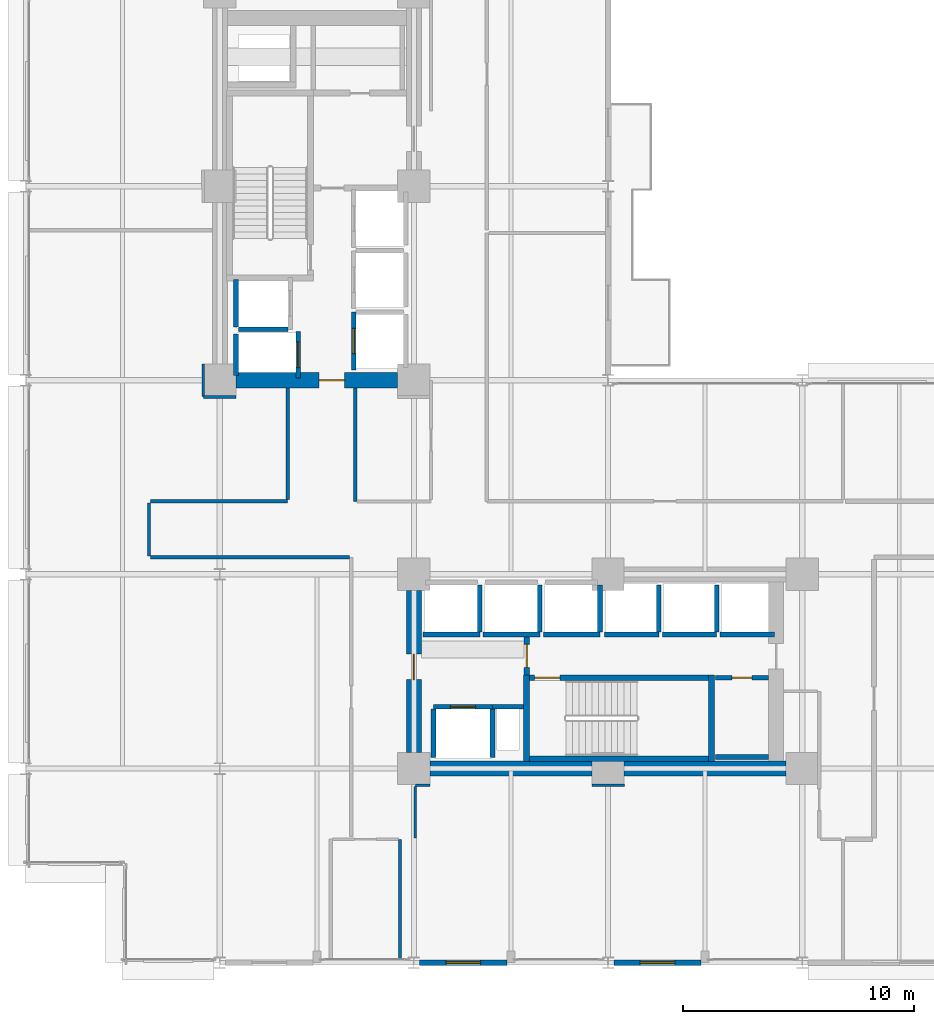
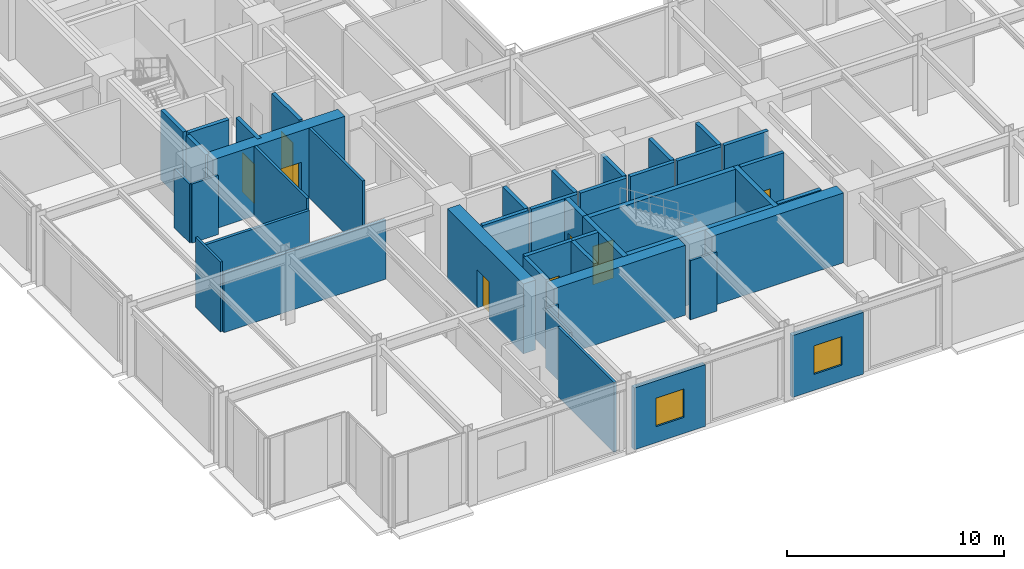
# One storey, part 20 of 25: 44 walls, 8 doors, 2 windows, 10 openings.
"""IFC4 building model written with IfcOpenShell, lengths in metres."""

import ifcopenshell
import ifcopenshell.guid

model = None  # the IFC model being written
_history = None  # IfcOwnerHistory: only IFC2X3 demands one
_inside = {}  # id of a spatial element -> (the spatial element, [elements in it])
_under = {}  # id of a project, library or spatial element -> (it, [spatial elements below it])
_declared = {}  # id of a project -> (the project, [libraries it declares])
_typed = {}  # id of a type object -> (the type object, [elements of that type])
_made_of = {}  # id of a material, layer set ... -> (it, [elements and type objects made of it])


def new_model(schema):
    """Start an empty IFC model of exactly this schema.

    Asked for "IFC4X3", IfcOpenShell would pick the latest addendum, in which some entities
    have other attributes; the version numbers below select the first issue.
    IFC2X3 requires an IfcOwnerHistory on every rooted entity: one is made here for all.
    """
    global model, _history
    if schema == "IFC4X3":
        model = ifcopenshell.file(schema_version=(4, 3, 0, 0))
    else:
        model = ifcopenshell.file(schema=schema)
    _inside.clear()
    _under.clear()
    _declared.clear()
    _typed.clear()
    _made_of.clear()
    _history = None
    if model.schema == "IFC2X3":
        org = make("IfcOrganization", Name="unknown")
        user = make(
            "IfcPersonAndOrganization",
            ThePerson=make("IfcPerson", FamilyName="unknown"),
            TheOrganization=org,
        )
        app = make(
            "IfcApplication",
            ApplicationDeveloper=org,
            Version="unknown",
            ApplicationFullName="unknown",
            ApplicationIdentifier="unknown",
        )
        _history = make(
            "IfcOwnerHistory",
            OwningUser=user,
            OwningApplication=app,
            ChangeAction="ADDED",
            CreationDate=0,
        )
    return model


def make(cls, **values):
    """One entity of the class cls with the attributes given. An attribute that is None is left unset."""
    return model.create_entity(
        cls, **{name: value for name, value in values.items() if value is not None}
    )


def rooted(cls, **values):
    """An entity with a GlobalId (a new one), such as an element, a storey or a relation."""
    return make(cls, GlobalId=ifcopenshell.guid.new(), OwnerHistory=_history, **values)


def si_unit(unit_type, name, prefix=None):
    """IfcSIUnit, for example si_unit("LENGTHUNIT", "METRE", prefix="MILLI")."""
    return make("IfcSIUnit", UnitType=unit_type, Prefix=prefix, Name=name)


def assignment(units):
    """IfcUnitAssignment: the units of a project."""
    return None if units is None else make("IfcUnitAssignment", Units=units)


def point(xyz):
    """IfcCartesianPoint."""
    return None if xyz is None else make("IfcCartesianPoint", Coordinates=xyz)


def direction(xyz):
    """IfcDirection."""
    return None if xyz is None else make("IfcDirection", DirectionRatios=xyz)


def frame(location, z_axis=None, x_axis=None):
    """IfcAxis2Placement3D, a coordinate frame: its origin and axes. An axis left out is left unset."""
    return make(
        "IfcAxis2Placement3D",
        Location=point(location),
        Axis=direction(z_axis),
        RefDirection=direction(x_axis),
    )


def frame_2d(location, x_axis=None):
    """IfcAxis2Placement2D, a coordinate frame in the plane: its origin and x axis."""
    return make(
        "IfcAxis2Placement2D", Location=point(location), RefDirection=direction(x_axis)
    )


def origin():
    """The frame at (0, 0, 0) with its axes left unset."""
    return frame((0.0, 0.0, 0.0))


def place(relative_to, where):
    """IfcLocalPlacement: puts the frame where relative to a parent placement (None: the world)."""
    return make(
        "IfcLocalPlacement", PlacementRelTo=relative_to, RelativePlacement=where
    )


def context(
    kind, dimensions, precision=None, world=None, true_north=None, identifier=None
):
    """IfcGeometricRepresentationContext, for example the 3D "Model" context."""
    return make(
        "IfcGeometricRepresentationContext",
        ContextIdentifier=identifier,
        ContextType=kind,
        CoordinateSpaceDimension=dimensions,
        Precision=precision,
        WorldCoordinateSystem=world,
        TrueNorth=true_north,
    )


def subcontext(parent, identifier, kind, view, scale=None):
    """IfcGeometricRepresentationSubContext, for example "Body" below "Model"."""
    return make(
        "IfcGeometricRepresentationSubContext",
        ContextIdentifier=identifier,
        ContextType=kind,
        ParentContext=parent,
        TargetScale=scale,
        TargetView=view,
    )


def project(units=None, contexts=None):
    """IfcProject with its units and contexts."""
    return rooted(
        "IfcProject",
        Name="project",
        RepresentationContexts=contexts,
        UnitsInContext=assignment(units),
    )


def spatial(cls, under=None, at=None, **own):
    """A site, building, storey or space (cls), placed at a placement, below another one or the project."""
    s = rooted(cls, ObjectPlacement=at, **own)
    if under is not None:
        _under.setdefault(under.id(), (under, []))[1].append(s)
    return s


def profile(cls, at=None, kind="AREA", **sizes):
    """A parametric profile (cls). Its sizes go by their IFC names, for example OverallWidth=200.0."""
    return make(cls, ProfileType=kind, Position=at, **sizes)


def rectangle(**sizes):
    """IfcRectangleProfileDef."""
    return profile("IfcRectangleProfileDef", **sizes)


def extrude(swept, where, along, depth):
    """IfcExtrudedAreaSolid: the profile swept, set in the frame where, extruded along a direction by depth."""
    return make(
        "IfcExtrudedAreaSolid",
        SweptArea=swept,
        Position=where,
        ExtrudedDirection=direction(along),
        Depth=depth,
    )


def shape(context_of_items, identifier, shape_type, items):
    """IfcShapeRepresentation: the items that make up one representation, for example the "Body"."""
    return make(
        "IfcShapeRepresentation",
        ContextOfItems=context_of_items,
        RepresentationIdentifier=identifier,
        RepresentationType=shape_type,
        Items=items,
    )


def material(Name=None, Category=None):
    """IfcMaterial."""
    return make("IfcMaterial", Name=Name, Category=Category)


def layer(
    of_material, thickness, ventilated=None, Name=None, Category=None, Priority=None
):
    """IfcMaterialLayer: one layer of a wall or slab, of a material (None: an air gap)."""
    return make(
        "IfcMaterialLayer",
        Material=of_material,
        LayerThickness=thickness,
        IsVentilated=ventilated,
        Name=Name,
        Category=Category,
        Priority=Priority,
    )


def layer_set(layers, Name=None):
    """IfcMaterialLayerSet."""
    return make("IfcMaterialLayerSet", MaterialLayers=layers, LayerSetName=Name)


def made_of(thing, what):
    """Note that an element or type object is made of a material, layer set ...; save() writes the relation."""
    if what is not None:
        _made_of.setdefault(what.id(), (what, []))[1].append(thing)
    return thing


def type_object(cls, material=None, **own):
    """A type object (cls), such as IfcWallType, which elements share."""
    return made_of(rooted(cls, **own), material)


def element(
    cls,
    number,
    at=None,
    inside=None,
    cuts=None,
    type_object=None,
    material=None,
    context=None,
    identifier="Body",
    shape_type=None,
    held_by="IfcProductDefinitionShape",
    body=None,
    shapes=None,
    **own,
):
    """One element of the class cls, such as IfcWall. Its Tag is "e" and its number.

    at: its placement. inside: the storey or other place that contains it. cuts: it is an
    opening in that element (IfcRelVoidsElement). A single representation is given by context,
    identifier, shape_type and body (its items); several are given by shapes. held_by: the class
    of the entity that holds the representations. save() writes the other relations.
    """
    e = rooted(cls, Tag="e%d" % number, ObjectPlacement=at, **own)
    if body is not None:
        shapes = [shape(context, identifier, shape_type, body)]
    if shapes is not None:
        e.Representation = make(held_by, Representations=shapes)
    if inside is not None:
        _inside.setdefault(inside.id(), (inside, []))[1].append(e)
    if cuts is not None:
        rooted(
            "IfcRelVoidsElement", RelatingBuildingElement=cuts, RelatedOpeningElement=e
        )
    if type_object is not None:
        _typed.setdefault(type_object.id(), (type_object, []))[1].append(e)
    return made_of(e, material)


def fill(opening, filler):
    """IfcRelFillsElement: the door or window that sits in an opening."""
    return rooted(
        "IfcRelFillsElement",
        RelatingOpeningElement=opening,
        RelatedBuildingElement=filler,
    )


def aggregate(whole, parts):
    """IfcRelAggregates: a whole, such as a stair, and the parts it consists of."""
    return rooted("IfcRelAggregates", RelatingObject=whole, RelatedObjects=parts)


def save(model, path):
    """Write the relations noted so far, then the file.

    IfcRelAggregates (storeys below a building ...), IfcRelContainedInSpatialStructure (elements
    in a storey), IfcRelDefinesByType, IfcRelAssociatesMaterial and IfcRelDeclares: one each for
    every whole, place, type object, material and project.
    """
    for whole, parts in _under.values():
        aggregate(whole, parts)
    for where, things in _inside.values():
        rooted(
            "IfcRelContainedInSpatialStructure",
            RelatedElements=things,
            RelatingStructure=where,
        )
    for kind, things in _typed.values():
        rooted("IfcRelDefinesByType", RelatedObjects=things, RelatingType=kind)
    for what, things in _made_of.values():
        rooted("IfcRelAssociatesMaterial", RelatedObjects=things, RelatingMaterial=what)
    for by, libraries in _declared.values():
        rooted("IfcRelDeclares", RelatingContext=by, RelatedDefinitions=libraries)
    model.write(path)


model = new_model("IFC4")

# Units and contexts
model_context = context("Model", 3, precision=1e-05, world=origin(), true_north=direction((0.0, 1.0)))
body_context = subcontext(model_context, "Body", "Model", "MODEL_VIEW")
ifc_project = project(units=[si_unit("LENGTHUNIT", "METRE"), si_unit("AREAUNIT", "SQUARE_METRE"), si_unit("VOLUMEUNIT", "CUBIC_METRE"), si_unit("PLANEANGLEUNIT", "RADIAN"), si_unit("MASSUNIT", "GRAM", prefix="KILO")], contexts=[model_context])

# Site, building, storey
site_placement = place(None, origin())
site = spatial("IfcSite", under=ifc_project, at=site_placement, CompositionType="ELEMENT")
building_placement = place(site_placement, origin())
building = spatial("IfcBuilding", under=site, at=building_placement, Name="Nerrivon Quay Data Exchange", CompositionType="ELEMENT")
storey_placement = place(building_placement, frame((0.0, 0.0, 29.0)))
storey = spatial("IfcBuildingStorey", under=building, at=storey_placement, Name="L06", CompositionType="ELEMENT", Elevation=29.0)

# Wall, opening, window
ifc_material_1 = material(Name="Architectural terracotta precast concrete N50 (50 MPa)", Category="masonry")
ifc_layer_1 = layer(ifc_material_1, 0.239990234375)
ifc_layer_set_1 = layer_set([ifc_layer_1], Name="Architectural terracotta precast concrete N50 (50 MPa)")
wall_type_1 = type_object("IfcWallType", Name="EW-PREC-240", PredefinedType="STANDARD", material=ifc_layer_set_1)
wall_1_placement = place(storey_placement, frame((29.22509765625, 0.0, 0.0), z_axis=(0.0, 0.0, 1.0), x_axis=(-1.0, 0.0, 0.0)))
wall_1 = element("IfcWall", 1, at=wall_1_placement, inside=storey, type_object=wall_type_1, Name="L06 Podium Precast Spandrel Wall 5", PredefinedType="STANDARD", context=body_context, shape_type="SweptSolid", body=[
    extrude(rectangle(XDim=3.775146484375, YDim=0.239990234375, at=frame_2d((1.8876953125, 0.0))), origin(), (0.0, 0.0, 1.0), 3.470947265625),
])
opening_1_placement = place(wall_1_placement, frame((1.137451171875, 0.0, 0.89990234375)))
opening_1 = element("IfcOpeningElement", 2, at=opening_1_placement, cuts=wall_1, Name="Opening WN4", PredefinedType="OPENING", context=body_context, shape_type="SweptSolid", body=[
    extrude(rectangle(XDim=1.5, YDim=1.60009765625, at=frame_2d((0.75, 0.800048828125))), frame((0.0, 0.1298828125, 0.0), z_axis=(0.0, -1.0, 0.0), x_axis=(1.0, 0.0, 0.0)), (0.0, 0.0, 1.0), 0.260009765625),
])
ifc_material_2 = material(Name="Double-glazed low-E solar control glass", Category="glass")
window_type = type_object("IfcWindowType", Name="WIN-W4-1500x1600", PartitioningType="SINGLE_PANEL", PredefinedType="WINDOW", material=ifc_material_2)
window_1_placement = place(opening_1_placement, origin())
window_1 = element("IfcWindow", 3, at=window_1_placement, inside=storey, type_object=window_type, Name="L06 Solar Facade Window 5", OverallHeight=1.60009765625, OverallWidth=1.5, PartitioningType="SINGLE_PANEL", PredefinedType="WINDOW", context=body_context, shape_type="SweptSolid", body=[
    extrude(rectangle(XDim=1.5, YDim=1.60009765625, at=frame_2d((0.75, 0.800048828125))), frame((0.0, 0.030029296875, 0.0), z_axis=(0.0, -1.0, 0.0), x_axis=(1.0, 0.0, 0.0)), (0.0, 0.0, 1.0), 0.06005859375),
])
fill(opening_1, window_1)

wall_2_placement = place(storey_placement, frame((20.824951171875, 0.0, 0.0), z_axis=(0.0, 0.0, 1.0), x_axis=(-1.0, 0.0, 0.0)))
wall_2 = element("IfcWall", 4, at=wall_2_placement, inside=storey, type_object=wall_type_1, Name="L06 Podium Precast Spandrel Wall 7", PredefinedType="STANDARD", context=body_context, shape_type="SweptSolid", body=[
    extrude(rectangle(XDim=3.77490234375, YDim=0.239990234375, at=frame_2d((1.887451171875, 0.0))), origin(), (0.0, 0.0, 1.0), 3.470947265625),
])
opening_2_placement = place(wall_2_placement, frame((1.137451171875, 0.0, 0.89990234375)))
opening_2 = element("IfcOpeningElement", 5, at=opening_2_placement, cuts=wall_2, Name="Opening WN4", PredefinedType="OPENING", context=body_context, shape_type="SweptSolid", body=[
    extrude(rectangle(XDim=1.5, YDim=1.60009765625, at=frame_2d((0.75, 0.800048828125))), frame((0.0, 0.1298828125, 0.0), z_axis=(0.0, -1.0, 0.0), x_axis=(1.0, 0.0, 0.0)), (0.0, 0.0, 1.0), 0.260009765625),
])
window_2_placement = place(opening_2_placement, origin())
window_2 = element("IfcWindow", 6, at=window_2_placement, inside=storey, type_object=window_type, Name="L06 Solar Facade Window 7", OverallHeight=1.60009765625, OverallWidth=1.5, PartitioningType="SINGLE_PANEL", PredefinedType="WINDOW", context=body_context, shape_type="SweptSolid", body=[
    extrude(rectangle(XDim=1.5, YDim=1.60009765625, at=frame_2d((0.75, 0.800048828125))), frame((0.0, 0.030029296875, 0.0), z_axis=(0.0, -1.0, 0.0), x_axis=(1.0, 0.0, 0.0)), (0.0, 0.0, 1.0), 0.06005859375),
])
fill(opening_2, window_2)

# Wall, opening, door
ifc_material_3 = material(Name="Concrete N80 (80 MPa)", Category="concrete")
ifc_layer_2 = layer(ifc_material_3, 0.64990234375)
ifc_layer_set_2 = layer_set([ifc_layer_2], Name="Concrete N80 (80 MPa)")
wall_type_2 = type_object("IfcWallType", Name="WALL-CW-850", PredefinedType="SHEAR", material=ifc_layer_set_2)
wall_3_placement = place(storey_placement, frame((9.10009765625, 25.199951171875, 0.0), z_axis=(0.0, 0.0, 1.0), x_axis=(1.0, 0.0, 0.0)))
wall_3 = element("IfcWall", 7, at=wall_3_placement, inside=storey, type_object=wall_type_2, Name="L06 West Split-Core Shear Wall WCW-S1", PredefinedType="SHEAR", context=body_context, shape_type="SweptSolid", body=[
    extrude(rectangle(XDim=7.0, YDim=0.64990234375, at=frame_2d((3.5, 0.0))), origin(), (0.0, 0.0, 1.0), 3.925048828125),
])
opening_3_placement = place(wall_3_placement, frame((3.60009765625, 0.0, 0.0)))
opening_3 = element("IfcOpeningElement", 8, at=opening_3_placement, cuts=wall_3, Name="Opening FD-120", PredefinedType="OPENING", context=body_context, shape_type="SweptSolid", body=[
    extrude(rectangle(XDim=1.10009765625, YDim=2.14990234375, at=frame_2d((0.550048828125, 1.074951171875))), frame((0.0, 0.3349609375, 0.0), z_axis=(0.0, -1.0, 0.0), x_axis=(1.0, 0.0, 0.0)), (0.0, 0.0, 1.0), 0.669921875),
])
ifc_material_4 = material(Name="Powder-coated galvanized steel sheet", Category="steel")
door_type_1 = type_object("IfcDoorType", Name="DR-FD120-1100", OperationType="NOTDEFINED", PredefinedType="DOOR", material=ifc_material_4)
door_1_placement = place(opening_3_placement, origin())
door_1 = element("IfcDoor", 9, at=door_1_placement, inside=storey, type_object=door_type_1, Name="L06 West Core Lobby Fire Door", OperationType="SINGLE_SWING_RIGHT", OverallHeight=2.14990234375, OverallWidth=1.10009765625, PredefinedType="DOOR", context=body_context, shape_type="SweptSolid", body=[
    extrude(rectangle(XDim=1.10009765625, YDim=2.14990234375, at=frame_2d((0.550048828125, 1.074951171875))), frame((0.0, 0.02490234375, 0.0), z_axis=(0.0, -1.0, 0.0), x_axis=(1.0, 0.0, 0.0)), (0.0, 0.0, 1.0), 0.050048828125),
])
fill(opening_3, door_1)

# Walls
for number, where, z_axis, x_axis, name in (
    (10, (17.5, 8.39990234375, 0.0), (0.0, 0.0, 1.0), (1.0, 0.0, 0.0), "L06 East Split-Core Shear Wall ECW-S1"),
    (11, (25.89990234375, 8.39990234375, 0.0), (0.0, 0.0, 1.0), (1.0, 0.0, 0.0), "L06 East Split-Core Shear Wall ECW-S2"),
):
    element("IfcWall", number, at=place(storey_placement, frame(where, z_axis=z_axis, x_axis=x_axis)), inside=storey, type_object=wall_type_2, Name=name, PredefinedType="SHEAR", context=body_context, shape_type="SweptSolid", body=[
        extrude(rectangle(XDim=7.0, YDim=0.64990234375, at=frame_2d((3.5, 0.0))), origin(), (0.0, 0.0, 1.0), 3.925048828125),
    ])

# Wall, opening, door
wall_4_placement = place(storey_placement, frame((16.800048828125, 9.10009765625, 0.0), z_axis=(0.0, 0.0, 1.0), x_axis=(0.0, 1.0, 0.0)))
wall_4 = element("IfcWall", 12, at=wall_4_placement, inside=storey, type_object=wall_type_2, Name="L06 East Split-Core Shear Wall ECW-W1", PredefinedType="SHEAR", context=body_context, shape_type="SweptSolid", body=[
    extrude(rectangle(XDim=7.0, YDim=0.64990234375, at=frame_2d((3.5, 0.0))), origin(), (0.0, 0.0, 1.0), 3.925048828125),
])
opening_4_placement = place(wall_4_placement, frame((3.14990234375, 0.0, 0.0)))
opening_4 = element("IfcOpeningElement", 13, at=opening_4_placement, cuts=wall_4, Name="Opening FD-120", PredefinedType="OPENING", context=body_context, shape_type="SweptSolid", body=[
    extrude(rectangle(XDim=1.10009765625, YDim=2.14990234375, at=frame_2d((0.550048828125, 1.074951171875))), frame((0.0, 0.3349609375, 0.0), z_axis=(0.0, -1.0, 0.0), x_axis=(1.0, 0.0, 0.0)), (0.0, 0.0, 1.0), 0.669921875),
])
door_2_placement = place(opening_4_placement, origin())
door_2 = element("IfcDoor", 14, at=door_2_placement, inside=storey, type_object=door_type_1, Name="L06 East Core Lobby Fire Door", OperationType="SINGLE_SWING_RIGHT", OverallHeight=2.14990234375, OverallWidth=1.10009765625, PredefinedType="DOOR", context=body_context, shape_type="SweptSolid", body=[
    extrude(rectangle(XDim=1.10009765625, YDim=2.14990234375, at=frame_2d((0.550048828125, 1.074951171875))), frame((0.0, 0.02490234375, 0.0), z_axis=(0.0, -1.0, 0.0), x_axis=(1.0, 0.0, 0.0)), (0.0, 0.0, 1.0), 0.050048828125),
])
fill(opening_4, door_2)

# Walls
ifc_material_5 = material(Name="Gypsum plasterboard on cold-formed framing", Category="gypsum")
ifc_layer_3 = layer(ifc_material_5, 0.199951171875)
ifc_layer_set_3 = layer_set([ifc_layer_3], Name="Gypsum plasterboard on cold-formed framing")
wall_type_3 = type_object("IfcWallType", Name="WALL-FW-200", PredefinedType="PARTITIONING", material=ifc_layer_set_3)
wall_5_placement = place(storey_placement, frame((20.199951171875, 11.080078125, 0.0), z_axis=(0.0, 0.0, 1.0), x_axis=(1.0, 0.0, 0.0)))
element("IfcWall", 15, at=wall_5_placement, inside=storey, type_object=wall_type_3, Name="L06 East Core MEP Riser Shaft Wall N", PredefinedType="PARTITIONING", context=body_context, shape_type="SweptSolid", body=[
    extrude(rectangle(XDim=1.35009765625, YDim=0.199951171875, at=frame_2d((0.675048828125, 0.0))), origin(), (0.0, 0.0, 1.0), 3.925048828125),
])
wall_6_placement = place(storey_placement, frame((9.10009765625, 27.5, 0.0), z_axis=(0.0, 0.0, 1.0), x_axis=(0.0, 1.0, 0.0)))
element("IfcWall", 16, at=wall_6_placement, inside=storey, type_object=wall_type_3, Name="L06 Lift Shaft Wall FFL-1 WEST", PredefinedType="PARTITIONING", context=body_context, shape_type="SweptSolid", body=[
    extrude(rectangle(XDim=2.050048828125, YDim=0.199951171875, at=frame_2d((1.02490234375, 0.0))), origin(), (0.0, 0.0, 1.0), 3.925048828125),
])
wall_7_placement = place(storey_placement, frame((9.199951171875, 27.39990234375, 0.0), z_axis=(0.0, 0.0, 1.0), x_axis=(1.0, 0.0, 0.0)))
element("IfcWall", 17, at=wall_7_placement, inside=storey, type_object=wall_type_3, Name="L06 Lift Shaft Wall FFL-1 SOUTH", PredefinedType="PARTITIONING", context=body_context, shape_type="SweptSolid", body=[
    extrude(rectangle(XDim=2.150146484375, YDim=0.199951171875, at=frame_2d((1.0751953125, 0.0))), origin(), (0.0, 0.0, 1.0), 3.925048828125),
])

# Wall, opening, door
wall_8_placement = place(storey_placement, frame((11.800048828125, 25.300048828125, 0.0), z_axis=(0.0, 0.0, 1.0), x_axis=(0.0, 1.0, 0.0)))
wall_8 = element("IfcWall", 18, at=wall_8_placement, inside=storey, type_object=wall_type_3, Name="L06 Lift Front Wall SVL-1", PredefinedType="PARTITIONING", context=body_context, shape_type="SweptSolid", body=[
    extrude(rectangle(XDim=2.0, YDim=0.199951171875, at=frame_2d((1.0, 0.0))), origin(), (0.0, 0.0, 1.0), 3.925048828125),
])
opening_5_placement = place(wall_8_placement, frame((0.449951171875, 0.0, 0.0)))
opening_5 = element("IfcOpeningElement", 19, at=opening_5_placement, cuts=wall_8, Name="Opening LD-120", PredefinedType="OPENING", context=body_context, shape_type="SweptSolid", body=[
    extrude(rectangle(XDim=1.10009765625, YDim=2.199951171875, at=frame_2d((0.550048828125, 1.10009765625))), frame((0.0, 0.10986328125, 0.0), z_axis=(0.0, -1.0, 0.0), x_axis=(1.0, 0.0, 0.0)), (0.0, 0.0, 1.0), 0.219970703125),
])
door_type_2 = type_object("IfcDoorType", Name="DR-LIFT-LD120", OperationType="DOUBLE_DOOR_SLIDING", PredefinedType="DOOR", material=ifc_material_4)
door_3_placement = place(opening_5_placement, origin())
door_3 = element("IfcDoor", 20, at=door_3_placement, inside=storey, type_object=door_type_2, Name="L06 Lift Landing Sliding Door SVL-1", OperationType="DOUBLE_DOOR_SLIDING", OverallHeight=2.199951171875, OverallWidth=1.10009765625, PredefinedType="DOOR", context=body_context, shape_type="SweptSolid", body=[
    extrude(rectangle(XDim=1.10009765625, YDim=2.199951171875, at=frame_2d((0.550048828125, 1.10009765625))), frame((0.0, 0.02490234375, 0.0), z_axis=(0.0, -1.0, 0.0), x_axis=(1.0, 0.0, 0.0)), (0.0, 0.0, 1.0), 0.050048828125),
])
fill(opening_5, door_3)

# Wall
wall_9_placement = place(storey_placement, frame((9.10009765625, 25.39990234375, 0.0), z_axis=(0.0, 0.0, 1.0), x_axis=(0.0, 1.0, 0.0)))
element("IfcWall", 21, at=wall_9_placement, inside=storey, type_object=wall_type_3, Name="L06 Lift Shaft Wall SVL-1 WEST", PredefinedType="PARTITIONING", context=body_context, shape_type="SweptSolid", body=[
    extrude(rectangle(XDim=1.800048828125, YDim=0.199951171875, at=frame_2d((0.89990234375, 0.0))), origin(), (0.0, 0.0, 1.0), 3.925048828125),
])

# Wall, opening, door
wall_10_placement = place(storey_placement, frame((14.199951171875, 25.64990234375, 0.0), z_axis=(0.0, 0.0, 1.0), x_axis=(0.0, 1.0, 0.0)))
wall_10 = element("IfcWall", 22, at=wall_10_placement, inside=storey, type_object=wall_type_3, Name="L06 Lift Front Wall PL1", PredefinedType="PARTITIONING", context=body_context, shape_type="SweptSolid", body=[
    extrude(rectangle(XDim=2.5, YDim=0.199951171875, at=frame_2d((1.25, 0.0))), origin(), (0.0, 0.0, 1.0), 3.925048828125),
])
opening_6_placement = place(wall_10_placement, frame((0.699951171875, 0.0, 0.0)))
opening_6 = element("IfcOpeningElement", 23, at=opening_6_placement, cuts=wall_10, Name="Opening LD-120", PredefinedType="OPENING", context=body_context, shape_type="SweptSolid", body=[
    extrude(rectangle(XDim=1.10009765625, YDim=2.199951171875, at=frame_2d((0.550048828125, 1.10009765625))), frame((0.0, 0.10986328125, 0.0), z_axis=(0.0, -1.0, 0.0), x_axis=(1.0, 0.0, 0.0)), (0.0, 0.0, 1.0), 0.219970703125),
])
door_4_placement = place(opening_6_placement, origin())
door_4 = element("IfcDoor", 24, at=door_4_placement, inside=storey, type_object=door_type_2, Name="L06 Lift Landing Sliding Door PL1", OperationType="DOUBLE_DOOR_SLIDING", OverallHeight=2.199951171875, OverallWidth=1.10009765625, PredefinedType="DOOR", context=body_context, shape_type="SweptSolid", body=[
    extrude(rectangle(XDim=1.10009765625, YDim=2.199951171875, at=frame_2d((0.550048828125, 1.10009765625))), frame((0.0, 0.02490234375, 0.0), z_axis=(0.0, -1.0, 0.0), x_axis=(1.0, 0.0, 0.0)), (0.0, 0.0, 1.0), 0.050048828125),
])
fill(opening_6, door_4)

wall_11_placement = place(storey_placement, frame((17.64990234375, 11.080078125, 0.0), z_axis=(0.0, 0.0, 1.0), x_axis=(1.0, 0.0, 0.0)))
wall_11 = element("IfcWall", 25, at=wall_11_placement, inside=storey, type_object=wall_type_3, Name="L06 Lift Front Wall FFL-2", PredefinedType="PARTITIONING", context=body_context, shape_type="SweptSolid", body=[
    extrude(rectangle(XDim=2.550048828125, YDim=0.199951171875, at=frame_2d((1.27490234375, 0.0))), origin(), (0.0, 0.0, 1.0), 3.925048828125),
])
opening_7_placement = place(wall_11_placement, frame((0.72509765625, 0.0, 0.0)))
opening_7 = element("IfcOpeningElement", 26, at=opening_7_placement, cuts=wall_11, Name="Opening LD-120", PredefinedType="OPENING", context=body_context, shape_type="SweptSolid", body=[
    extrude(rectangle(XDim=1.10009765625, YDim=2.199951171875, at=frame_2d((0.550048828125, 1.10009765625))), frame((0.0, 0.10986328125, 0.0), z_axis=(0.0, -1.0, 0.0), x_axis=(1.0, 0.0, 0.0)), (0.0, 0.0, 1.0), 0.219970703125),
])
door_5_placement = place(opening_7_placement, origin())
door_5 = element("IfcDoor", 27, at=door_5_placement, inside=storey, type_object=door_type_2, Name="L06 Lift Landing Sliding Door FFL-2", OperationType="DOUBLE_DOOR_SLIDING", OverallHeight=2.199951171875, OverallWidth=1.10009765625, PredefinedType="DOOR", context=body_context, shape_type="SweptSolid", body=[
    extrude(rectangle(XDim=1.10009765625, YDim=2.199951171875, at=frame_2d((0.550048828125, 1.10009765625))), frame((0.0, 0.02490234375, 0.0), z_axis=(0.0, -1.0, 0.0), x_axis=(1.0, 0.0, 0.0)), (0.0, 0.0, 1.0), 0.050048828125),
])
fill(opening_7, door_5)

# Walls
for number, where, z_axis, x_axis, name in (
    (28, (20.199951171875, 8.8798828125, 0.0), (0.0, 0.0, 1.0), (0.0, 1.0, 0.0), "L06 Lift Shaft Wall FFL-2 EAST"),
    (29, (17.64990234375, 8.8798828125, 0.0), (0.0, 0.0, 1.0), (0.0, 1.0, 0.0), "L06 Lift Shaft Wall FFL-2 WEST"),
):
    element("IfcWall", number, at=place(storey_placement, frame(where, z_axis=z_axis, x_axis=x_axis)), inside=storey, type_object=wall_type_3, Name=name, PredefinedType="PARTITIONING", context=body_context, shape_type="SweptSolid", body=[
        extrude(rectangle(XDim=2.10009765625, YDim=0.199951171875, at=frame_2d((1.050048828125, 0.0))), origin(), (0.0, 0.0, 1.0), 3.925048828125),
    ])
wall_12_placement = place(storey_placement, frame((17.199951171875, 14.199951171875, 0.0), z_axis=(0.0, 0.0, 1.0), x_axis=(1.0, 0.0, 0.0)))
element("IfcWall", 30, at=wall_12_placement, inside=storey, type_object=wall_type_3, Name="L06 Lift Front Wall PL4", PredefinedType="PARTITIONING", context=body_context, shape_type="SweptSolid", body=[
    extrude(rectangle(XDim=2.449951171875, YDim=0.199951171875, at=frame_2d((1.22509765625, 0.0))), origin(), (0.0, 0.0, 1.0), 3.925048828125),
])
wall_13_placement = place(storey_placement, frame((19.64990234375, 14.300048828125, 0.0), z_axis=(0.0, 0.0, 1.0), x_axis=(0.0, 1.0, 0.0)))
element("IfcWall", 31, at=wall_13_placement, inside=storey, type_object=wall_type_3, Name="L06 Lift Shaft Wall PL4 EAST", PredefinedType="PARTITIONING", context=body_context, shape_type="SweptSolid", body=[
    extrude(rectangle(XDim=2.050048828125, YDim=0.199951171875, at=frame_2d((1.02490234375, 0.0))), origin(), (0.0, 0.0, 1.0), 3.925048828125),
])
wall_14_placement = place(storey_placement, frame((19.800048828125, 14.199951171875, 0.0), z_axis=(0.0, 0.0, 1.0), x_axis=(1.0, 0.0, 0.0)))
element("IfcWall", 32, at=wall_14_placement, inside=storey, type_object=wall_type_3, Name="L06 Lift Front Wall PL5", PredefinedType="PARTITIONING", context=body_context, shape_type="SweptSolid", body=[
    extrude(rectangle(XDim=2.449951171875, YDim=0.199951171875, at=frame_2d((1.22509765625, 0.0))), origin(), (0.0, 0.0, 1.0), 3.925048828125),
])
wall_15_placement = place(storey_placement, frame((22.25, 14.300048828125, 0.0), z_axis=(0.0, 0.0, 1.0), x_axis=(0.0, 1.0, 0.0)))
element("IfcWall", 33, at=wall_15_placement, inside=storey, type_object=wall_type_3, Name="L06 Lift Shaft Wall PL5 EAST", PredefinedType="PARTITIONING", context=body_context, shape_type="SweptSolid", body=[
    extrude(rectangle(XDim=2.050048828125, YDim=0.199951171875, at=frame_2d((1.02490234375, 0.0))), origin(), (0.0, 0.0, 1.0), 3.925048828125),
])
wall_16_placement = place(storey_placement, frame((22.39990234375, 14.199951171875, 0.0), z_axis=(0.0, 0.0, 1.0), x_axis=(1.0, 0.0, 0.0)))
element("IfcWall", 34, at=wall_16_placement, inside=storey, type_object=wall_type_3, Name="L06 Lift Front Wall PL6", PredefinedType="PARTITIONING", context=body_context, shape_type="SweptSolid", body=[
    extrude(rectangle(XDim=2.4501953125, YDim=0.199951171875, at=frame_2d((1.22509765625, 0.0))), origin(), (0.0, 0.0, 1.0), 3.925048828125),
])
wall_17_placement = place(storey_placement, frame((24.85009765625, 14.300048828125, 0.0), z_axis=(0.0, 0.0, 1.0), x_axis=(0.0, 1.0, 0.0)))
element("IfcWall", 35, at=wall_17_placement, inside=storey, type_object=wall_type_3, Name="L06 Lift Shaft Wall PL6 EAST", PredefinedType="PARTITIONING", context=body_context, shape_type="SweptSolid", body=[
    extrude(rectangle(XDim=2.050048828125, YDim=0.199951171875, at=frame_2d((1.02490234375, 0.0))), origin(), (0.0, 0.0, 1.0), 3.925048828125),
])
wall_18_placement = place(storey_placement, frame((25.050048828125, 14.199951171875, 0.0), z_axis=(0.0, 0.0, 1.0), x_axis=(1.0, 0.0, 0.0)))
element("IfcWall", 36, at=wall_18_placement, inside=storey, type_object=wall_type_3, Name="L06 Lift Front Wall PL7", PredefinedType="PARTITIONING", context=body_context, shape_type="SweptSolid", body=[
    extrude(rectangle(XDim=2.349853515625, YDim=0.199951171875, at=frame_2d((1.1748046875, 0.0))), origin(), (0.0, 0.0, 1.0), 3.925048828125),
])
wall_19_placement = place(storey_placement, frame((27.39990234375, 14.300048828125, 0.0), z_axis=(0.0, 0.0, 1.0), x_axis=(0.0, 1.0, 0.0)))
element("IfcWall", 37, at=wall_19_placement, inside=storey, type_object=wall_type_3, Name="L06 Lift Shaft Wall PL7 EAST", PredefinedType="PARTITIONING", context=body_context, shape_type="SweptSolid", body=[
    extrude(rectangle(XDim=2.050048828125, YDim=0.199951171875, at=frame_2d((1.02490234375, 0.0))), origin(), (0.0, 0.0, 1.0), 3.925048828125),
])
wall_20_placement = place(storey_placement, frame((27.550048828125, 14.199951171875, 0.0), z_axis=(0.0, 0.0, 1.0), x_axis=(1.0, 0.0, 0.0)))
element("IfcWall", 38, at=wall_20_placement, inside=storey, type_object=wall_type_3, Name="L06 Lift Front Wall PL8", PredefinedType="PARTITIONING", context=body_context, shape_type="SweptSolid", body=[
    extrude(rectangle(XDim=2.349853515625, YDim=0.199951171875, at=frame_2d((1.1748046875, 0.0))), origin(), (0.0, 0.0, 1.0), 3.925048828125),
])
wall_21_placement = place(storey_placement, frame((29.89990234375, 14.300048828125, 0.0), z_axis=(0.0, 0.0, 1.0), x_axis=(0.0, 1.0, 0.0)))
element("IfcWall", 39, at=wall_21_placement, inside=storey, type_object=wall_type_3, Name="L06 Lift Shaft Wall PL8 EAST", PredefinedType="PARTITIONING", context=body_context, shape_type="SweptSolid", body=[
    extrude(rectangle(XDim=2.050048828125, YDim=0.199951171875, at=frame_2d((1.02490234375, 0.0))), origin(), (0.0, 0.0, 1.0), 3.925048828125),
])
wall_22_placement = place(storey_placement, frame((30.050048828125, 14.199951171875, 0.0), z_axis=(0.0, 0.0, 1.0), x_axis=(1.0, 0.0, 0.0)))
element("IfcWall", 40, at=wall_22_placement, inside=storey, type_object=wall_type_3, Name="L06 Lift Front Wall PL9", PredefinedType="PARTITIONING", context=body_context, shape_type="SweptSolid", body=[
    extrude(rectangle(XDim=2.349853515625, YDim=0.199951171875, at=frame_2d((1.1748046875, 0.0))), origin(), (0.0, 0.0, 1.0), 3.925048828125),
])

# Wall, opening, door
wall_23_placement = place(storey_placement, frame((32.14599609375, 12.330078125, 0.0), z_axis=(0.0, 0.0, 1.0), x_axis=(-1.0, 0.0, 0.0)))
wall_23 = element("IfcWall", 41, at=wall_23_placement, inside=storey, type_object=wall_type_3, Name="L06 Partition East Telecom Closet", PredefinedType="PARTITIONING", context=body_context, shape_type="SweptSolid", body=[
    extrude(rectangle(XDim=2.2958984375, YDim=0.199951171875, at=frame_2d((1.14794921875, 0.0))), origin(), (0.0, 0.0, 1.0), 3.925048828125),
])
opening_8_placement = place(wall_23_placement, frame((0.722900390625, 0.0, 0.0)))
opening_8 = element("IfcOpeningElement", 42, at=opening_8_placement, cuts=wall_23, Name="Opening FD-60S", PredefinedType="OPENING", context=body_context, shape_type="SweptSolid", body=[
    extrude(rectangle(XDim=0.85009765625, YDim=2.14990234375, at=frame_2d((0.425048828125, 1.074951171875))), frame((0.0, 0.10986328125, 0.0), z_axis=(0.0, -1.0, 0.0), x_axis=(1.0, 0.0, 0.0)), (0.0, 0.0, 1.0), 0.219970703125),
])
ifc_material_6 = material(Name="Engineered hardwood timber", Category="wood")
door_type_3 = type_object("IfcDoorType", Name="DR-FD60-850", OperationType="NOTDEFINED", PredefinedType="DOOR", material=ifc_material_6)
door_6_placement = place(opening_8_placement, origin())
door_6 = element("IfcDoor", 43, at=door_6_placement, inside=storey, type_object=door_type_3, Name="L06 Door East Telecom Closet", OperationType="SINGLE_SWING_RIGHT", OverallHeight=2.14990234375, OverallWidth=0.85009765625, PredefinedType="DOOR", context=body_context, shape_type="SweptSolid", body=[
    extrude(rectangle(XDim=0.85009765625, YDim=2.14990234375, at=frame_2d((0.425048828125, 1.074951171875))), frame((0.0, 0.02490234375, 0.0), z_axis=(0.0, -1.0, 0.0), x_axis=(1.0, 0.0, 0.0)), (0.0, 0.0, 1.0), 0.050048828125),
])
fill(opening_8, door_6)

# Walls
wall_24_placement = place(storey_placement, frame((29.85009765625, 8.89990234375, 0.0), z_axis=(0.0, 0.0, 1.0), x_axis=(1.0, 0.0, 0.0)))
element("IfcWall", 44, at=wall_24_placement, inside=storey, type_object=wall_type_3, Name="L06 Partition East Telecom Closet", PredefinedType="PARTITIONING", context=body_context, shape_type="SweptSolid", body=[
    extrude(rectangle(XDim=2.2958984375, YDim=0.199951171875, at=frame_2d((1.14794921875, 0.0))), origin(), (0.0, 0.0, 1.0), 3.925048828125),
])
ifc_layer_4 = layer(ifc_material_5, 0.1201171875)
ifc_layer_set_4 = layer_set([ifc_layer_4], Name="Gypsum plasterboard on cold-formed framing")
wall_type_4 = type_object("IfcWallType", Name="WALL-PT-120", PredefinedType="PARTITIONING", material=ifc_layer_set_4)
wall_25_placement = place(storey_placement, frame((25.90576171875, 7.680908203125, 0.0), z_axis=(0.0, 0.0, 1.0), x_axis=(-0.999999758706, -0.000694685487, 0.0)))
element("IfcWall", 45, at=wall_25_placement, inside=storey, type_object=wall_type_4, Name="L06 Partition Technical Library", PredefinedType="PARTITIONING", context=body_context, shape_type="SweptSolid", body=[
    extrude(rectangle(XDim=1.40576171875, YDim=0.1201171875, at=frame_2d((0.702880859375, 0.0))), origin(), (0.0, 0.0, 1.0), 3.322998046875),
])
wall_26_placement = place(storey_placement, frame((17.5, 7.679931640625, 0.0), z_axis=(0.0, 0.0, 1.0), x_axis=(-1.0, 0.0, 0.0)))
element("IfcWall", 46, at=wall_26_placement, inside=storey, type_object=wall_type_4, Name="L06 Partition Technical Library", PredefinedType="PARTITIONING", context=body_context, shape_type="SweptSolid", body=[
    extrude(rectangle(XDim=0.639892578125, YDim=0.1201171875, at=frame_2d((0.31982421875, 0.0))), origin(), (0.0, 0.0, 1.0), 3.322998046875),
])
wall_27_placement = place(storey_placement, frame((16.860107421875, 7.615966796875, 0.0), z_axis=(0.0, 0.0, 1.0), x_axis=(0.0, -1.0, 0.0)))
element("IfcWall", 47, at=wall_27_placement, inside=storey, type_object=wall_type_4, Name="L06 Partition Technical Library", PredefinedType="PARTITIONING", context=body_context, shape_type="SweptSolid", body=[
    extrude(rectangle(XDim=2.216064453125, YDim=0.1201171875, at=frame_2d((1.10791015625, 0.0))), origin(), (0.0, 0.0, 1.0), 3.322998046875),
])
wall_28_placement = place(storey_placement, frame((9.105712890625, 24.48095703125, 0.0), z_axis=(0.0, 0.0, 1.0), x_axis=(-0.999999758706, -0.000694685487, 0.0)))
element("IfcWall", 48, at=wall_28_placement, inside=storey, type_object=wall_type_4, Name="L06 Partition Optical Engineering Studios Workspace", PredefinedType="PARTITIONING", context=body_context, shape_type="SweptSolid", body=[
    extrude(rectangle(XDim=1.40576171875, YDim=0.1201171875, at=frame_2d((0.702880859375, 0.0))), origin(), (0.0, 0.0, 1.0), 3.322998046875),
])
wall_29_placement = place(storey_placement, frame((7.680908203125, 24.494140625, 0.0), z_axis=(0.0, 0.0, 1.0), x_axis=(0.0, 1.0, 0.0)))
element("IfcWall", 49, at=wall_29_placement, inside=storey, type_object=wall_type_4, Name="L06 Partition Optical Engineering Studios Workspace", PredefinedType="PARTITIONING", context=body_context, shape_type="SweptSolid", body=[
    extrude(rectangle(XDim=1.41162109375, YDim=0.1201171875, at=frame_2d((0.705810546875, 0.0))), origin(), (0.0, 0.0, 1.0), 3.31298828125),
])
wall_30_placement = place(storey_placement, frame((5.340087890625, 17.60009765625, 0.0), z_axis=(0.0, 0.0, 1.0), x_axis=(0.0, 1.0, 0.0)))
element("IfcWall", 50, at=wall_30_placement, inside=storey, type_object=wall_type_4, Name="L06 Partition Optical Engineering Studios Workspace", PredefinedType="PARTITIONING", context=body_context, shape_type="SweptSolid", body=[
    extrude(rectangle(XDim=2.2998046875, YDim=0.1201171875, at=frame_2d((1.14990234375, 0.0))), origin(), (0.0, 0.0, 1.0), 3.925048828125),
])
ifc_layer_5 = layer(ifc_material_5, 0.135009765625)
ifc_layer_set_5 = layer_set([ifc_layer_5], Name="Gypsum plasterboard on cold-formed framing")
wall_type_5 = type_object("IfcWallType", Name="WALL-PT-135", PredefinedType="PARTITIONING", material=ifc_layer_set_5)
wall_31_placement = place(storey_placement, frame((16.199951171875, 0.1689453125, 0.0), z_axis=(0.0, 0.0, 1.0), x_axis=(0.0, 1.0, 0.0)))
element("IfcWall", 51, at=wall_31_placement, inside=storey, type_object=wall_type_5, Name="L06 Partition Accessible Toilet", PredefinedType="PARTITIONING", context=body_context, shape_type="SweptSolid", body=[
    extrude(rectangle(XDim=5.171142578125, YDim=0.135009765625, at=frame_2d((2.58544921875, 0.0))), origin(), (0.0, 0.0, 1.0), 3.925048828125),
])
wall_32_placement = place(storey_placement, frame((14.260009765625, 24.87109375, 0.0), z_axis=(0.0, 0.0, 1.0), x_axis=(0.0, -1.0, 0.0)))
element("IfcWall", 52, at=wall_32_placement, inside=storey, type_object=wall_type_5, Name="L06 Partition Public Washrooms", PredefinedType="PARTITIONING", context=body_context, shape_type="SweptSolid", body=[
    extrude(rectangle(XDim=4.9111328125, YDim=0.135009765625, at=frame_2d((2.45556640625, 0.0))), origin(), (0.0, 0.0, 1.0), 3.925048828125),
])
wall_33_placement = place(storey_placement, frame((11.340087890625, 20.0390625, 0.0), z_axis=(0.0, 0.0, 1.0), x_axis=(0.0, 1.0, 0.0)))
element("IfcWall", 53, at=wall_33_placement, inside=storey, type_object=wall_type_5, Name="L06 Partition Optical Engineering Studios Workspace", PredefinedType="PARTITIONING", context=body_context, shape_type="SweptSolid", body=[
    extrude(rectangle(XDim=4.83203125, YDim=0.135009765625, at=frame_2d((2.416015625, 0.0))), origin(), (0.0, 0.0, 1.0), 3.925048828125),
])
ifc_layer_6 = layer(ifc_material_5, 0.14990234375)
ifc_layer_set_6 = layer_set([ifc_layer_6], Name="Gypsum plasterboard on cold-formed framing")
wall_type_6 = type_object("IfcWallType", Name="WALL-PT-150", PredefinedType="PARTITIONING", material=ifc_layer_set_6)
wall_34_placement = place(storey_placement, frame((14.010986328125, 17.5400390625, 0.0), z_axis=(0.0, 0.0, 1.0), x_axis=(-1.0, 0.0, 0.0)))
element("IfcWall", 54, at=wall_34_placement, inside=storey, type_object=wall_type_6, Name="L06 Partition Optical Engineering Studios Workspace", PredefinedType="PARTITIONING", context=body_context, shape_type="SweptSolid", body=[
    extrude(rectangle(XDim=8.611083984375, YDim=0.14990234375, at=frame_2d((4.3056640625, 0.0))), origin(), (0.0, 0.0, 1.0), 3.322998046875),
])
wall_35_placement = place(storey_placement, frame((5.39990234375, 19.9599609375, 0.0), z_axis=(0.0, 0.0, 1.0), x_axis=(1.0, 0.0, 0.0)))
element("IfcWall", 55, at=wall_35_placement, inside=storey, type_object=wall_type_6, Name="L06 Partition Optical Engineering Studios Workspace", PredefinedType="PARTITIONING", context=body_context, shape_type="SweptSolid", body=[
    extrude(rectangle(XDim=5.940185546875, YDim=0.14990234375, at=frame_2d((2.97021484375, 0.0))), origin(), (0.0, 0.0, 1.0), 3.322998046875),
])
ifc_material_7 = material(Name="Concrete N50 (50 MPa)", Category="concrete")
ifc_layer_7 = layer(ifc_material_7, 0.25)
ifc_layer_set_7 = layer_set([ifc_layer_7], Name="Concrete N50 (50 MPa)")
wall_type_7 = type_object("IfcWallType", Name="WALL-SW-250", PredefinedType="SHEAR", material=ifc_layer_set_7)
for number, where, z_axis, x_axis, name in (
    (56, (21.675048828125, 8.699951171875, 0.0), (0.0, 0.0, 1.0), (0.0, 1.0, 0.0), "L06 ST02 Structural Stair Core Wall NEAR"),
    (57, (29.675048828125, 8.699951171875, 0.0), (0.0, 0.0, 1.0), (0.0, 1.0, 0.0), "L06 ST02 Structural Stair Core Wall FAR"),
):
    element("IfcWall", number, at=place(storey_placement, frame(where, z_axis=z_axis, x_axis=x_axis)), inside=storey, type_object=wall_type_7, Name=name, PredefinedType="SHEAR", context=body_context, shape_type="SweptSolid", body=[
        extrude(rectangle(XDim=3.75, YDim=0.25, at=frame_2d((1.875, 0.0))), origin(), (0.0, 0.0, 1.0), 3.925048828125),
    ])
wall_36_placement = place(storey_placement, frame((21.800048828125, 8.824951171875, 0.0), z_axis=(0.0, 0.0, 1.0), x_axis=(1.0, 0.0, 0.0)))
element("IfcWall", 58, at=wall_36_placement, inside=storey, type_object=wall_type_7, Name="L06 ST02 Structural Stair Core Wall LEFT", PredefinedType="SHEAR", context=body_context, shape_type="SweptSolid", body=[
    extrude(rectangle(XDim=7.75, YDim=0.25, at=frame_2d((3.875, 0.0))), origin(), (0.0, 0.0, 1.0), 3.925048828125),
])

# Wall, opening, door
wall_37_placement = place(storey_placement, frame((21.800048828125, 12.324951171875, 0.0), z_axis=(0.0, 0.0, 1.0), x_axis=(1.0, 0.0, 0.0)))
wall_37 = element("IfcWall", 59, at=wall_37_placement, inside=storey, type_object=wall_type_7, Name="L06 ST02 Structural Stair Core Wall RIGHT", PredefinedType="SHEAR", context=body_context, shape_type="SweptSolid", body=[
    extrude(rectangle(XDim=7.75, YDim=0.25, at=frame_2d((3.875, 0.0))), origin(), (0.0, 0.0, 1.0), 3.925048828125),
])
opening_9_placement = place(wall_37_placement, frame((0.219970703125, 0.0, 0.0)))
opening_9 = element("IfcOpeningElement", 60, at=opening_9_placement, cuts=wall_37, Name="Opening FD-120", PredefinedType="OPENING", context=body_context, shape_type="SweptSolid", body=[
    extrude(rectangle(XDim=1.10009765625, YDim=2.14990234375, at=frame_2d((0.550048828125, 1.074951171875))), frame((0.0, 0.135009765625, 0.0), z_axis=(0.0, -1.0, 0.0), x_axis=(1.0, 0.0, 0.0)), (0.0, 0.0, 1.0), 0.27001953125),
])
door_7_placement = place(opening_9_placement, origin())
door_7 = element("IfcDoor", 61, at=door_7_placement, inside=storey, type_object=door_type_1, Name="L06 Protected Stair Door ST02", OperationType="SINGLE_SWING_RIGHT", OverallHeight=2.14990234375, OverallWidth=1.10009765625, PredefinedType="DOOR", context=body_context, shape_type="SweptSolid", body=[
    extrude(rectangle(XDim=1.10009765625, YDim=2.14990234375, at=frame_2d((0.550048828125, 1.074951171875))), frame((0.0, 0.02490234375, 0.0), z_axis=(0.0, -1.0, 0.0), x_axis=(1.0, 0.0, 0.0)), (0.0, 0.0, 1.0), 0.050048828125),
])
fill(opening_9, door_7)

wall_38_placement = place(storey_placement, frame((21.679931640625, 12.449951171875, 0.0), z_axis=(0.0, 0.0, 1.0), x_axis=(0.0, 1.0, 0.0)))
wall_38 = element("IfcWall", 62, at=wall_38_placement, inside=storey, type_object=wall_type_7, Name="L06 East Firefighting Lobby Wall", PredefinedType="SHEAR", context=body_context, shape_type="SweptSolid", body=[
    extrude(rectangle(XDim=1.650146484375, YDim=0.25, at=frame_2d((0.8251953125, 0.0))), origin(), (0.0, 0.0, 1.0), 3.925048828125),
])
opening_10_placement = place(wall_38_placement, frame((0.324951171875, 0.0, 0.0)))
opening_10 = element("IfcOpeningElement", 63, at=opening_10_placement, cuts=wall_38, Name="Opening FD-60", PredefinedType="OPENING", context=body_context, shape_type="SweptSolid", body=[
    extrude(rectangle(XDim=1.0, YDim=2.14990234375, at=frame_2d((0.5, 1.074951171875))), frame((0.0, 0.135009765625, 0.0), z_axis=(0.0, -1.0, 0.0), x_axis=(1.0, 0.0, 0.0)), (0.0, 0.0, 1.0), 0.27001953125),
])
door_type_4 = type_object("IfcDoorType", Name="DR-FD60-1000", OperationType="NOTDEFINED", PredefinedType="DOOR", material=ifc_material_6)
door_8_placement = place(opening_10_placement, origin())
door_8 = element("IfcDoor", 64, at=door_8_placement, inside=storey, type_object=door_type_4, Name="L06 East Firefighting Lobby Fire Door", OperationType="SINGLE_SWING_RIGHT", OverallHeight=2.14990234375, OverallWidth=1.0, PredefinedType="DOOR", context=body_context, shape_type="SweptSolid", body=[
    extrude(rectangle(XDim=1.0, YDim=2.14990234375, at=frame_2d((0.5, 1.074951171875))), frame((0.0, 0.02490234375, 0.0), z_axis=(0.0, -1.0, 0.0), x_axis=(1.0, 0.0, 0.0)), (0.0, 0.0, 1.0), 0.050048828125),
])
fill(opening_10, door_8)

save(model, "model.ifc")
